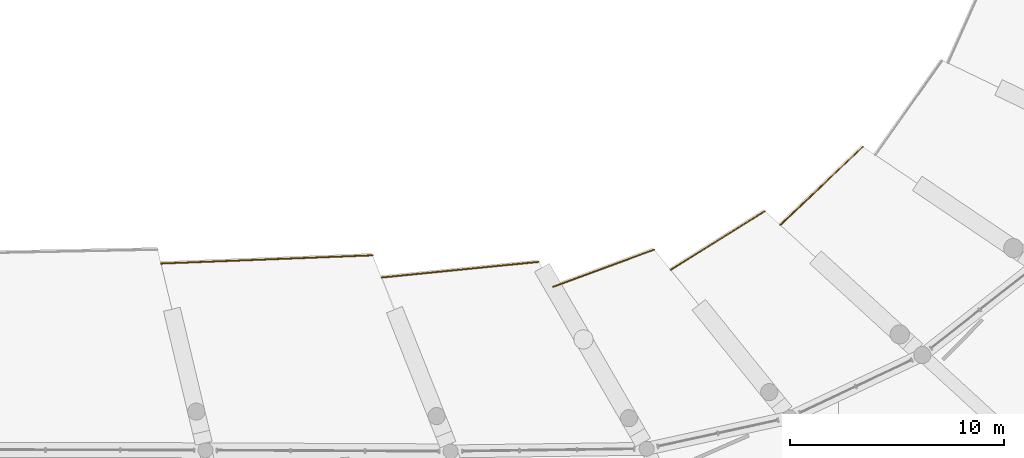
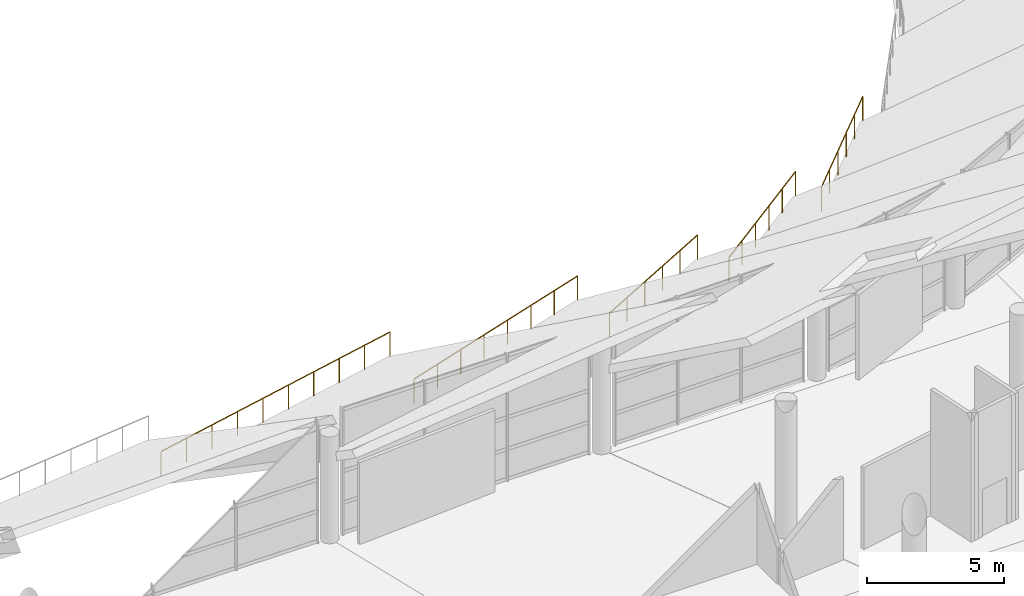
# One storey, part 219 of 249: 5 railings.
"""IFC4 building model written with IfcOpenShell, lengths in metres."""

from ifc_helpers import new_model, si_unit, direction, frame, origin, origin_2d, place, context, subcontext, project, spatial, circle, extrude, material, type_object, element, save


model = new_model("IFC4")

# Units and contexts
model_context = context("Model", 3, precision=1e-05, world=origin(), true_north=direction((0.0, 1.0)))
body_context = subcontext(model_context, "Body", "Model", "MODEL_VIEW")
ifc_project = project(units=[si_unit("LENGTHUNIT", "METRE"), si_unit("AREAUNIT", "SQUARE_METRE"), si_unit("VOLUMEUNIT", "CUBIC_METRE"), si_unit("PLANEANGLEUNIT", "RADIAN"), si_unit("MASSUNIT", "GRAM", prefix="KILO")], contexts=[model_context])

# Site, building, storey
site_placement = place(None, origin())
site = spatial("IfcSite", under=ifc_project, at=site_placement, CompositionType="ELEMENT")
building_placement = place(site_placement, origin())
building = spatial("IfcBuilding", under=site, at=building_placement, Name="Meseta Stadium", CompositionType="ELEMENT")
storey_placement = place(building_placement, frame((0.0, 0.0, 12.0)))
storey = spatial("IfcBuildingStorey", under=building, at=storey_placement, Name="L02", CompositionType="ELEMENT", Elevation=12.0)

# Railings
ifc_material = material(Name="Steel S355", Category="steel")
railing_type = type_object("IfcRailingType", Name="Stand edge guard 1100", PredefinedType="GUARDRAIL", material=ifc_material)
railing_1_placement = place(storey_placement, frame((15.052001953125, -68.618408203125, -1.7578125)))
element("IfcRailing", 1, at=railing_1_placement, inside=storey, type_object=railing_type, Name="Stand upper tier front guard bay 49", PredefinedType="GUARDRAIL", context=body_context, shape_type="SweptSolid", body=[
    extrude(circle(Radius=0.02490234375, at=origin_2d()), frame((0.0, 0.0, 1.0751953125), z_axis=(0.98577854443, 0.038283607684, 0.163630763378), x_axis=(-0.038806657248, 0.999246737975, 0.0)), (0.0, 0.0, 1.0), 10.02490234375),
    extrude(circle(Radius=0.02001953125, at=origin_2d()), origin(), (0.0, 0.0, 1.0), 1.050048828125),
    extrude(circle(Radius=0.02001953125, at=origin_2d()), frame((1.09814453125, 0.042724609375, 0.182373046875)), (0.0, 0.0, 1.0), 1.050048828125),
    extrude(circle(Radius=0.02001953125, at=origin_2d()), frame((2.196044921875, 0.085205078125, 0.364501953125)), (0.0, 0.0, 1.0), 1.050048828125),
    extrude(circle(Radius=0.02001953125, at=origin_2d()), frame((3.294189453125, 0.1279296875, 0.546875)), (0.0, 0.0, 1.0), 1.050048828125),
    extrude(circle(Radius=0.02001953125, at=origin_2d()), frame((4.39208984375, 0.170654296875, 0.72900390625)), (0.0, 0.0, 1.0), 1.050048828125),
    extrude(circle(Radius=0.02001953125, at=origin_2d()), frame((5.490234375, 0.213134765625, 0.911376953125)), (0.0, 0.0, 1.0), 1.050048828125),
    extrude(circle(Radius=0.02001953125, at=origin_2d()), frame((6.588134765625, 0.255859375, 1.093505859375)), (0.0, 0.0, 1.0), 1.050048828125),
    extrude(circle(Radius=0.02001953125, at=origin_2d()), frame((7.686279296875, 0.298583984375, 1.27587890625)), (0.0, 0.0, 1.0), 1.050048828125),
    extrude(circle(Radius=0.02001953125, at=origin_2d()), frame((8.7841796875, 0.341064453125, 1.4580078125)), (0.0, 0.0, 1.0), 1.050048828125),
    extrude(circle(Radius=0.02001953125, at=origin_2d()), frame((9.88232421875, 0.3837890625, 1.640380859375)), (0.0, 0.0, 1.0), 1.050048828125),
])
railing_2_placement = place(storey_placement, frame((25.345703125, -69.27099609375, -1.735107421875)))
element("IfcRailing", 2, at=railing_2_placement, inside=storey, type_object=railing_type, Name="Stand upper tier front guard bay 50", PredefinedType="GUARDRAIL", context=body_context, shape_type="SweptSolid", body=[
    extrude(circle(Radius=0.02490234375, at=origin_2d()), frame((0.0, 0.0, 1.0751953125), z_axis=(0.972509686186, 0.096881464205, 0.211751959067), x_axis=(-0.099129377406, 0.995074553255, 0.0)), (0.0, 0.0, 1.0), 7.5322265625),
    extrude(circle(Radius=0.02001953125, at=origin_2d()), origin(), (0.0, 0.0, 1.0), 1.050048828125),
    extrude(circle(Radius=0.02001953125, at=origin_2d()), frame((1.04638671875, 0.104248046875, 0.227783203125)), (0.0, 0.0, 1.0), 1.050048828125),
    extrude(circle(Radius=0.02001953125, at=origin_2d()), frame((2.093017578125, 0.20849609375, 0.455810546875)), (0.0, 0.0, 1.0), 1.050048828125),
    extrude(circle(Radius=0.02001953125, at=origin_2d()), frame((3.139404296875, 0.312744140625, 0.68359375)), (0.0, 0.0, 1.0), 1.050048828125),
    extrude(circle(Radius=0.02001953125, at=origin_2d()), frame((4.185791015625, 0.4169921875, 0.911376953125)), (0.0, 0.0, 1.0), 1.050048828125),
    extrude(circle(Radius=0.02001953125, at=origin_2d()), frame((5.232177734375, 0.521240234375, 1.13916015625)), (0.0, 0.0, 1.0), 1.050048828125),
    extrude(circle(Radius=0.02001953125, at=origin_2d()), frame((6.27880859375, 0.62548828125, 1.3671875)), (0.0, 0.0, 1.0), 1.050048828125),
    extrude(circle(Radius=0.02001953125, at=origin_2d()), frame((7.3251953125, 0.729736328125, 1.594970703125)), (0.0, 0.0, 1.0), 1.050048828125),
])
railing_3_placement = place(storey_placement, frame((33.344482421875, -69.706298828125, -1.327880859375)))
element("IfcRailing", 3, at=railing_3_placement, inside=storey, type_object=railing_type, Name="Stand upper tier front guard bay 51", PredefinedType="GUARDRAIL", context=body_context, shape_type="SweptSolid", body=[
    extrude(circle(Radius=0.02490234375, at=origin_2d()), frame((0.0, 0.0, 1.0751953125), z_axis=(0.927243693647, 0.341636295197, 0.153309407393), x_axis=(-0.345723355199, 0.938336486379, 0.0)), (0.0, 0.0, 1.0), 5.089599609375),
    extrude(circle(Radius=0.02001953125, at=origin_2d()), origin(), (0.0, 0.0, 1.0), 1.050048828125),
    extrude(circle(Radius=0.02001953125, at=origin_2d()), frame((0.94384765625, 0.34765625, 0.156005859375)), (0.0, 0.0, 1.0), 1.050048828125),
    extrude(circle(Radius=0.02001953125, at=origin_2d()), frame((1.8876953125, 0.695556640625, 0.31201171875)), (0.0, 0.0, 1.0), 1.050048828125),
    extrude(circle(Radius=0.02001953125, at=origin_2d()), frame((2.83154296875, 1.043212890625, 0.46826171875)), (0.0, 0.0, 1.0), 1.050048828125),
    extrude(circle(Radius=0.02001953125, at=origin_2d()), frame((3.775390625, 1.39111328125, 0.624267578125)), (0.0, 0.0, 1.0), 1.050048828125),
    extrude(circle(Radius=0.02001953125, at=origin_2d()), frame((4.71923828125, 1.73876953125, 0.7802734375)), (0.0, 0.0, 1.0), 1.050048828125),
])
railing_4_placement = place(storey_placement, frame((38.831787109375, -68.919189453125, -1.256103515625)))
element("IfcRailing", 4, at=railing_4_placement, inside=storey, type_object=railing_type, Name="Stand upper tier front guard bay 52", PredefinedType="GUARDRAIL", context=body_context, shape_type="SweptSolid", body=[
    extrude(circle(Radius=0.02490234375, at=origin_2d()), frame((0.0, 0.0, 1.0751953125), z_axis=(0.841818734537, 0.525827302755, 0.121847715862), x_axis=(-0.52977475675, 0.848138377336, 0.0)), (0.0, 0.0, 1.0), 5.2275390625),
    extrude(circle(Radius=0.02001953125, at=origin_2d()), origin(), (0.0, 0.0, 1.0), 1.050048828125),
    extrude(circle(Radius=0.02001953125, at=origin_2d()), frame((0.880126953125, 0.5498046875, 0.12744140625)), (0.0, 0.0, 1.0), 1.050048828125),
    extrude(circle(Radius=0.02001953125, at=origin_2d()), frame((1.76025390625, 1.099609375, 0.2548828125)), (0.0, 0.0, 1.0), 1.050048828125),
    extrude(circle(Radius=0.02001953125, at=origin_2d()), frame((2.640380859375, 1.649169921875, 0.382080078125)), (0.0, 0.0, 1.0), 1.050048828125),
    extrude(circle(Radius=0.02001953125, at=origin_2d()), frame((3.5205078125, 2.198974609375, 0.509521484375)), (0.0, 0.0, 1.0), 1.050048828125),
    extrude(circle(Radius=0.02001953125, at=origin_2d()), frame((4.400634765625, 2.748779296875, 0.636962890625)), (0.0, 0.0, 1.0), 1.050048828125),
])
railing_5_placement = place(storey_placement, frame((43.945556640625, -66.822998046875, -1.17919921875)))
element("IfcRailing", 5, at=railing_5_placement, inside=storey, type_object=railing_type, Name="Stand upper tier front guard bay 53", PredefinedType="GUARDRAIL", context=body_context, shape_type="SweptSolid", body=[
    extrude(circle(Radius=0.02490234375, at=origin_2d()), frame((0.0, 0.0, 1.0751953125), z_axis=(0.722775533546, 0.685136691221, 0.090461275965), x_axis=(-0.687957334408, 0.7257511323, 0.0)), (0.0, 0.0, 1.0), 5.33837890625),
    extrude(circle(Radius=0.02001953125, at=origin_2d()), origin(), (0.0, 0.0, 1.0), 1.050048828125),
    extrude(circle(Radius=0.02001953125, at=origin_2d()), frame((0.771728515625, 0.7314453125, 0.0966796875)), (0.0, 0.0, 1.0), 1.050048828125),
    extrude(circle(Radius=0.02001953125, at=origin_2d()), frame((1.54345703125, 1.462890625, 0.193115234375)), (0.0, 0.0, 1.0), 1.050048828125),
    extrude(circle(Radius=0.02001953125, at=origin_2d()), frame((2.31494140625, 2.194580078125, 0.289794921875)), (0.0, 0.0, 1.0), 1.050048828125),
    extrude(circle(Radius=0.02001953125, at=origin_2d()), frame((3.086669921875, 2.926025390625, 0.38623046875)), (0.0, 0.0, 1.0), 1.050048828125),
    extrude(circle(Radius=0.02001953125, at=origin_2d()), frame((3.8583984375, 3.657470703125, 0.48291015625)), (0.0, 0.0, 1.0), 1.050048828125),
])

save(model, "model.ifc")
